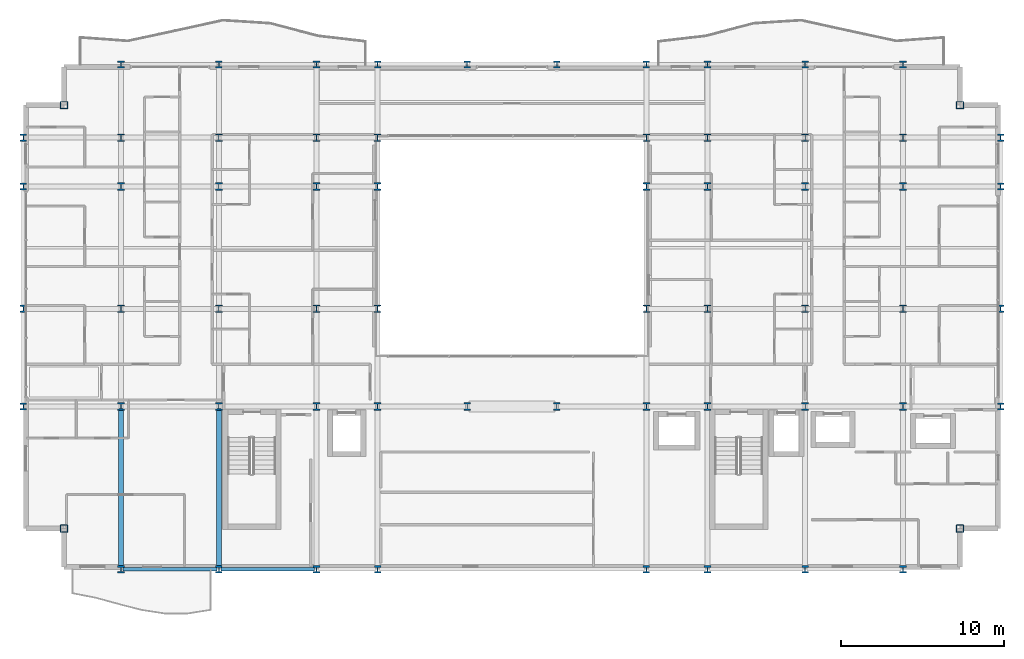
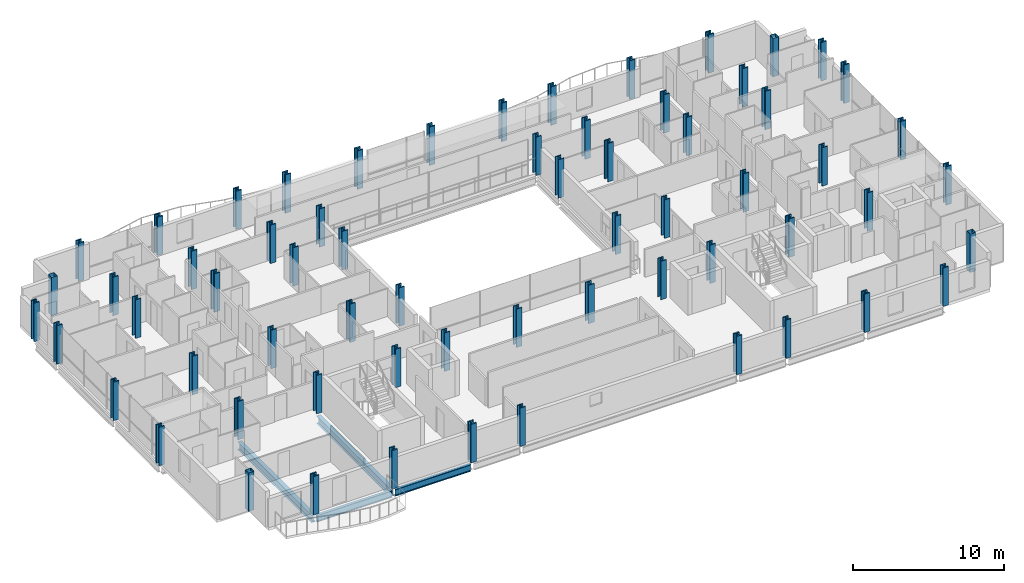
# One storey, part 1 of 40: 64 columns, 4 beams.
"""IFC4 building model written with IfcOpenShell, lengths in metres."""

from ifc_helpers import new_model, si_unit, direction, frame, origin, origin_2d, place, context, subcontext, project, spatial, hollow_rectangle, i_section, extrude, material, material_profile, profile_set, type_object, element, save


model = new_model("IFC4")

# Units and contexts
model_context = context("Model", 3, precision=1e-05, world=origin(), true_north=direction((0.0, 1.0)))
body_context = subcontext(model_context, "Body", "Model", "MODEL_VIEW")
ifc_project = project(units=[si_unit("LENGTHUNIT", "METRE"), si_unit("AREAUNIT", "SQUARE_METRE"), si_unit("VOLUMEUNIT", "CUBIC_METRE"), si_unit("PLANEANGLEUNIT", "RADIAN"), si_unit("MASSUNIT", "GRAM", prefix="KILO")], contexts=[model_context])

# Site, building, storey
site_placement = place(None, origin())
site = spatial("IfcSite", under=ifc_project, at=site_placement, CompositionType="ELEMENT")
building_placement = place(site_placement, origin())
building = spatial("IfcBuilding", under=site, at=building_placement, Name="Brevholm Reach", CompositionType="ELEMENT")
storey_placement = place(building_placement, frame((0.0, 0.0, 37.300048828125)))
storey = spatial("IfcBuildingStorey", under=building, at=storey_placement, Name="L09", CompositionType="ELEMENT", Elevation=37.300048828125)

# Columns
ifc_material_1 = material(Name="Structural Steel S460ML", Category="steel")
ifc_material_profile_1 = material_profile(ifc_material_1, i_section(OverallWidth=0.4140625, OverallDepth=0.444091796875, WebThickness=0.060546875, FlangeThickness=0.096923828125, FilletRadius=0.014892578125, at=origin_2d()), Name="HD 400x818")
ifc_profile_set_1 = profile_set([ifc_material_profile_1], Name="Structural Steel S460ML")
column_type_1 = type_object("IfcColumnType", Name="COL-HD2", PredefinedType="COLUMN", material=ifc_profile_set_1)
for number, where, z_axis, x_axis, name in (
    (1, (0.0, 10.0, 0.0), (0.0, 0.0, 1.0), (1.0, 0.0, 0.0), "L09 Column 01"),
    (2, (0.0, 16.0, 0.0), (0.0, 0.0, 1.0), (1.0, 0.0, 0.0), "L09 Column 02"),
    (3, (0.0, 23.5, 0.0), (0.0, 0.0, 1.0), (1.0, 0.0, 0.0), "L09 Column 03"),
    (4, (0.0, 26.5, 0.0), (0.0, 0.0, 1.0), (1.0, 0.0, 0.0), "L09 Column 04"),
    (5, (6.0, 0.0, 0.0), (0.0, 0.0, 1.0), (1.0, 0.0, 0.0), "L09 Column 07"),
    (6, (6.0, 31.0, 0.0), (0.0, 0.0, 1.0), (1.0, 0.0, 0.0), "L09 Column 12"),
    (7, (12.0, 0.0, 0.0), (0.0, 0.0, 1.0), (1.0, 0.0, 0.0), "L09 Column 13"),
    (8, (12.0, 31.0, 0.0), (0.0, 0.0, 1.0), (1.0, 0.0, 0.0), "L09 Column 18"),
    (9, (18.0, 0.0, 0.0), (0.0, 0.0, 1.0), (1.0, 0.0, 0.0), "L09 Column 19"),
    (10, (18.0, 31.0, 0.0), (0.0, 0.0, 1.0), (1.0, 0.0, 0.0), "L09 Column 24"),
    (11, (21.75, 0.0, 0.0), (0.0, 0.0, 1.0), (1.0, 0.0, 0.0), "L09 Column 25"),
    (12, (21.75, 31.0, 0.0), (0.0, 0.0, 1.0), (1.0, 0.0, 0.0), "L09 Column 30"),
    (13, (27.25, 31.0, 0.0), (0.0, 0.0, 1.0), (1.0, 0.0, 0.0), "L09 Column 32"),
    (14, (32.75, 31.0, 0.0), (0.0, 0.0, 1.0), (1.0, 0.0, 0.0), "L09 Column 34"),
    (15, (38.25, 0.0, 0.0), (0.0, 0.0, 1.0), (1.0, 0.0, 0.0), "L09 Column 35"),
    (16, (38.25, 31.0, 0.0), (0.0, 0.0, 1.0), (1.0, 0.0, 0.0), "L09 Column 40"),
    (17, (42.0, 0.0, 0.0), (0.0, 0.0, 1.0), (1.0, 0.0, 0.0), "L09 Column 41"),
    (18, (42.0, 31.0, 0.0), (0.0, 0.0, 1.0), (1.0, 0.0, 0.0), "L09 Column 46"),
    (19, (48.0, 0.0, 0.0), (0.0, 0.0, 1.0), (1.0, 0.0, 0.0), "L09 Column 47"),
    (20, (48.0, 31.0, 0.0), (0.0, 0.0, 1.0), (1.0, 0.0, 0.0), "L09 Column 52"),
    (21, (54.0, 0.0, 0.0), (0.0, 0.0, 1.0), (1.0, 0.0, 0.0), "L09 Column 53"),
    (22, (54.0, 31.0, 0.0), (0.0, 0.0, 1.0), (1.0, 0.0, 0.0), "L09 Column 58"),
    (23, (60.0, 10.0, 0.0), (0.0, 0.0, 1.0), (1.0, 0.0, 0.0), "L09 Column 61"),
    (24, (60.0, 16.0, 0.0), (0.0, 0.0, 1.0), (1.0, 0.0, 0.0), "L09 Column 62"),
    (25, (60.0, 23.5, 0.0), (0.0, 0.0, 1.0), (1.0, 0.0, 0.0), "L09 Column 63"),
    (26, (60.0, 26.5, 0.0), (0.0, 0.0, 1.0), (1.0, 0.0, 0.0), "L09 Column 64"),
):
    element("IfcColumn", number, at=place(storey_placement, frame(where, z_axis=z_axis, x_axis=x_axis)), inside=storey, type_object=column_type_1, Name=name, PredefinedType="COLUMN", context=body_context, shape_type="SweptSolid", body=[
        extrude(i_section(OverallWidth=0.4140625, OverallDepth=0.444091796875, WebThickness=0.060546875, FlangeThickness=0.096923828125, FilletRadius=0.014892578125, at=origin_2d()), origin(), (0.0, 0.0, 1.0), 3.099853515625),
    ])
ifc_material_2 = material(Name="Structural Steel S460NH", Category="steel")
ifc_material_profile_2 = material_profile(ifc_material_2, hollow_rectangle(XDim=0.449951171875, YDim=0.449951171875, WallThickness=0.02490234375, InnerFilletRadius=0.011962890625, OuterFilletRadius=0.02392578125, at=origin_2d()), Name="SHS 450x450x25")
ifc_profile_set_2 = profile_set([ifc_material_profile_2], Name="Structural Steel S460NH")
column_type_2 = type_object("IfcColumnType", Name="COL-SHS1", PredefinedType="COLUMN", material=ifc_profile_set_2)
for number, where, z_axis, x_axis, name in (
    (27, (2.5, 2.5, 0.0), (0.0, 0.0, 1.0), (1.0, 0.0, 0.0), "L09 Column 05"),
    (28, (2.5, 28.5, 0.0), (0.0, 0.0, 1.0), (1.0, 0.0, 0.0), "L09 Column 06"),
    (29, (57.5, 2.5, 0.0), (0.0, 0.0, 1.0), (1.0, 0.0, 0.0), "L09 Column 59"),
    (30, (57.5, 28.5, 0.0), (0.0, 0.0, 1.0), (1.0, 0.0, 0.0), "L09 Column 60"),
):
    element("IfcColumn", number, at=place(storey_placement, frame(where, z_axis=z_axis, x_axis=x_axis)), inside=storey, type_object=column_type_2, Name=name, PredefinedType="COLUMN", context=body_context, shape_type="SweptSolid", body=[
        extrude(hollow_rectangle(XDim=0.449951171875, YDim=0.449951171875, WallThickness=0.02490234375, InnerFilletRadius=0.011962890625, OuterFilletRadius=0.02392578125, at=origin_2d()), origin(), (0.0, 0.0, 1.0), 3.099853515625),
    ])
ifc_material_3 = material(Name="Structural Steel S460ML", Category="steel")
ifc_material_profile_3 = material_profile(ifc_material_3, i_section(OverallWidth=0.424072265625, OverallDepth=0.474609375, WebThickness=0.047607421875, FlangeThickness=0.076904296875, FilletRadius=0.01513671875, at=origin_2d()), Name="UKC 356x406x634")
ifc_profile_set_3 = profile_set([ifc_material_profile_3], Name="Structural Steel S460ML")
column_type_3 = type_object("IfcColumnType", Name="COL-UC1", PredefinedType="COLUMN", material=ifc_profile_set_3)
for number, where, z_axis, x_axis, name in (
    (31, (6.0, 10.0, 0.0), (0.0, 0.0, 1.0), (1.0, 0.0, 0.0), "L09 Column 08"),
    (32, (6.0, 16.0, 0.0), (0.0, 0.0, 1.0), (1.0, 0.0, 0.0), "L09 Column 09"),
    (33, (6.0, 23.5, 0.0), (0.0, 0.0, 1.0), (1.0, 0.0, 0.0), "L09 Column 10"),
    (34, (6.0, 26.5, 0.0), (0.0, 0.0, 1.0), (1.0, 0.0, 0.0), "L09 Column 11"),
    (35, (12.0, 10.0, 0.0), (0.0, 0.0, 1.0), (1.0, 0.0, 0.0), "L09 Column 14"),
    (36, (12.0, 16.0, 0.0), (0.0, 0.0, 1.0), (1.0, 0.0, 0.0), "L09 Column 15"),
    (37, (12.0, 23.5, 0.0), (0.0, 0.0, 1.0), (1.0, 0.0, 0.0), "L09 Column 16"),
    (38, (12.0, 26.5, 0.0), (0.0, 0.0, 1.0), (1.0, 0.0, 0.0), "L09 Column 17"),
    (39, (18.0, 10.0, 0.0), (0.0, 0.0, 1.0), (1.0, 0.0, 0.0), "L09 Column 20"),
    (40, (18.0, 16.0, 0.0), (0.0, 0.0, 1.0), (1.0, 0.0, 0.0), "L09 Column 21"),
    (41, (18.0, 23.5, 0.0), (0.0, 0.0, 1.0), (1.0, 0.0, 0.0), "L09 Column 22"),
    (42, (18.0, 26.5, 0.0), (0.0, 0.0, 1.0), (1.0, 0.0, 0.0), "L09 Column 23"),
    (43, (21.75, 10.0, 0.0), (0.0, 0.0, 1.0), (1.0, 0.0, 0.0), "L09 Column 26"),
    (44, (21.75, 16.0, 0.0), (0.0, 0.0, 1.0), (1.0, 0.0, 0.0), "L09 Column 27"),
    (45, (21.75, 23.5, 0.0), (0.0, 0.0, 1.0), (1.0, 0.0, 0.0), "L09 Column 28"),
    (46, (21.75, 26.5, 0.0), (0.0, 0.0, 1.0), (1.0, 0.0, 0.0), "L09 Column 29"),
    (47, (27.25, 10.0, 0.0), (0.0, 0.0, 1.0), (1.0, 0.0, 0.0), "L09 Column 31"),
    (48, (32.75, 10.0, 0.0), (0.0, 0.0, 1.0), (1.0, 0.0, 0.0), "L09 Column 33"),
    (49, (38.25, 10.0, 0.0), (0.0, 0.0, 1.0), (1.0, 0.0, 0.0), "L09 Column 36"),
    (50, (38.25, 16.0, 0.0), (0.0, 0.0, 1.0), (1.0, 0.0, 0.0), "L09 Column 37"),
    (51, (38.25, 23.5, 0.0), (0.0, 0.0, 1.0), (1.0, 0.0, 0.0), "L09 Column 38"),
    (52, (38.25, 26.5, 0.0), (0.0, 0.0, 1.0), (1.0, 0.0, 0.0), "L09 Column 39"),
    (53, (42.0, 10.0, 0.0), (0.0, 0.0, 1.0), (1.0, 0.0, 0.0), "L09 Column 42"),
    (54, (42.0, 16.0, 0.0), (0.0, 0.0, 1.0), (1.0, 0.0, 0.0), "L09 Column 43"),
    (55, (42.0, 23.5, 0.0), (0.0, 0.0, 1.0), (1.0, 0.0, 0.0), "L09 Column 44"),
    (56, (42.0, 26.5, 0.0), (0.0, 0.0, 1.0), (1.0, 0.0, 0.0), "L09 Column 45"),
    (57, (48.0, 10.0, 0.0), (0.0, 0.0, 1.0), (1.0, 0.0, 0.0), "L09 Column 48"),
    (58, (48.0, 16.0, 0.0), (0.0, 0.0, 1.0), (1.0, 0.0, 0.0), "L09 Column 49"),
    (59, (48.0, 23.5, 0.0), (0.0, 0.0, 1.0), (1.0, 0.0, 0.0), "L09 Column 50"),
    (60, (48.0, 26.5, 0.0), (0.0, 0.0, 1.0), (1.0, 0.0, 0.0), "L09 Column 51"),
    (61, (54.0, 10.0, 0.0), (0.0, 0.0, 1.0), (1.0, 0.0, 0.0), "L09 Column 54"),
    (62, (54.0, 16.0, 0.0), (0.0, 0.0, 1.0), (1.0, 0.0, 0.0), "L09 Column 55"),
    (63, (54.0, 23.5, 0.0), (0.0, 0.0, 1.0), (1.0, 0.0, 0.0), "L09 Column 56"),
    (64, (54.0, 26.5, 0.0), (0.0, 0.0, 1.0), (1.0, 0.0, 0.0), "L09 Column 57"),
):
    element("IfcColumn", number, at=place(storey_placement, frame(where, z_axis=z_axis, x_axis=x_axis)), inside=storey, type_object=column_type_3, Name=name, PredefinedType="COLUMN", context=body_context, shape_type="SweptSolid", body=[
        extrude(i_section(OverallWidth=0.424072265625, OverallDepth=0.474609375, WebThickness=0.047607421875, FlangeThickness=0.076904296875, FilletRadius=0.01513671875, at=origin_2d()), origin(), (0.0, 0.0, 1.0), 3.099853515625),
    ])

# Beams
ifc_material_4 = material(Name="Structural Steel S355J2", Category="steel")
ifc_material_profile_4 = material_profile(ifc_material_4, i_section(OverallWidth=0.210693359375, OverallDepth=0.53955078125, WebThickness=0.01171875, FlangeThickness=0.018798828125, FilletRadius=0.0126953125, at=origin_2d()), Name="UKB 533x210x109")
ifc_profile_set_4 = profile_set([ifc_material_profile_4], Name="Structural Steel S355J2")
beam_type_1 = type_object("IfcBeamType", Name="BM-SP539", PredefinedType="SPANDREL", material=ifc_profile_set_4)
for number, where, z_axis, x_axis, name in (
    (65, (6.1201171875, 0.0, -0.499755859375), (1.0, 0.0, 0.0), (0.0, 1.0, 0.0), "L09 SP-01B Framing Beam"),
    (66, (12.1201171875, 0.0, -0.499755859375), (1.0, 0.0, 0.0), (0.0, 1.0, 0.0), "L09 SP-01B Framing Beam"),
):
    element("IfcBeam", number, at=place(storey_placement, frame(where, z_axis=z_axis, x_axis=x_axis)), inside=storey, type_object=beam_type_1, Name=name, PredefinedType="SPANDREL", context=body_context, shape_type="SweptSolid", body=[
        extrude(i_section(OverallWidth=0.210693359375, OverallDepth=0.53955078125, WebThickness=0.01171875, FlangeThickness=0.018798828125, FilletRadius=0.0126953125, at=origin_2d()), origin(), (0.0, 0.0, 1.0), 5.759765625),
    ])
ifc_material_5 = material(Name="Structural Steel S355J2", Category="steel")
ifc_material_profile_5 = material_profile(ifc_material_5, i_section(OverallWidth=0.30712890625, OverallDepth=0.6201171875, WebThickness=0.01416015625, FlangeThickness=0.023681640625, FilletRadius=0.0166015625, at=origin_2d()), Name="UKB 610x305x179")
ifc_profile_set_5 = profile_set([ifc_material_profile_5], Name="Structural Steel S355J2")
beam_type_2 = type_object("IfcBeamType", Name="BM-UKB610H", PredefinedType="USERDEFINED", material=ifc_profile_set_5)
for number, where, z_axis, x_axis, name in (
    (67, (6.0, 0.1201171875, -0.5400390625), (0.0, 1.0, 0.0), (-1.0, 0.0, 0.0), "L09 G-06 Framing Beam"),
    (68, (12.0, 0.1201171875, -0.5400390625), (0.0, 1.0, 0.0), (-1.0, 0.0, 0.0), "L09 G-06 Framing Beam"),
):
    element("IfcBeam", number, at=place(storey_placement, frame(where, z_axis=z_axis, x_axis=x_axis)), inside=storey, type_object=beam_type_2, Name=name, ObjectType="GIRDER", PredefinedType="USERDEFINED", context=body_context, shape_type="SweptSolid", body=[
        extrude(i_section(OverallWidth=0.30712890625, OverallDepth=0.6201171875, WebThickness=0.01416015625, FlangeThickness=0.023681640625, FilletRadius=0.0166015625, at=origin_2d()), origin(), (0.0, 0.0, 1.0), 9.759765625),
    ])

save(model, "model.ifc")
